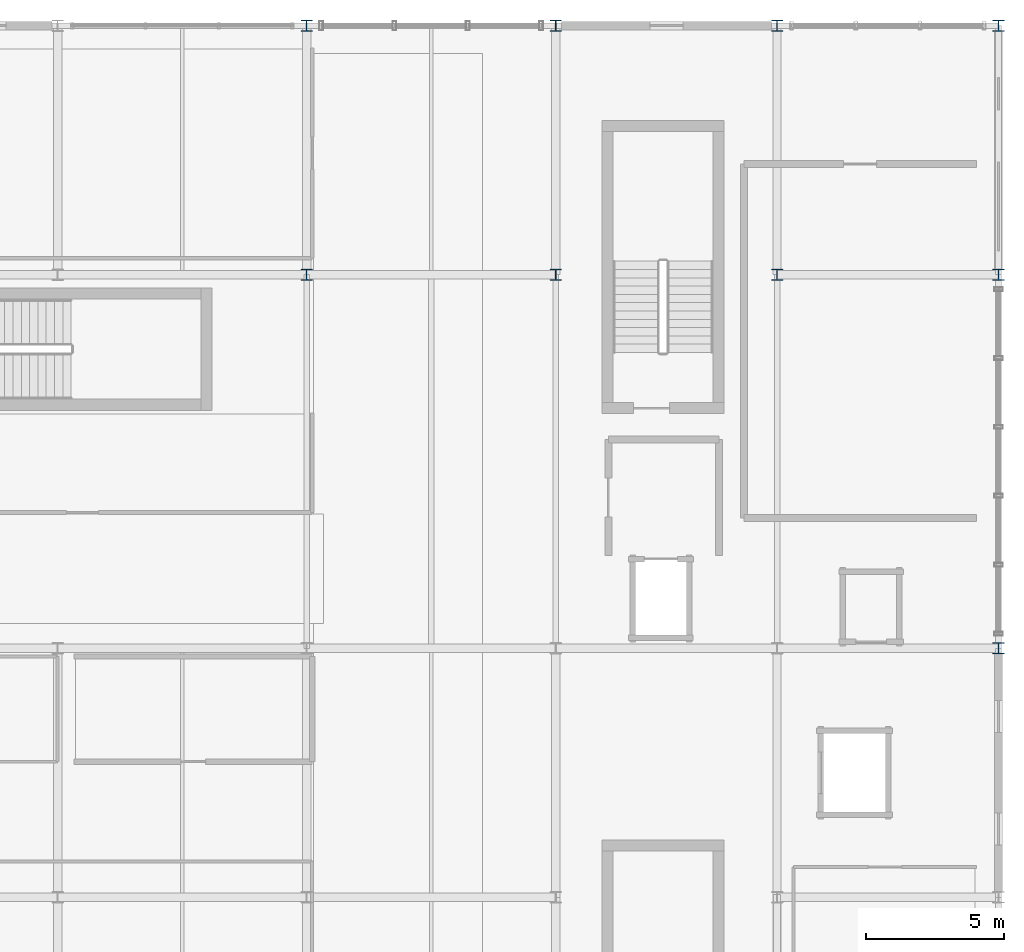
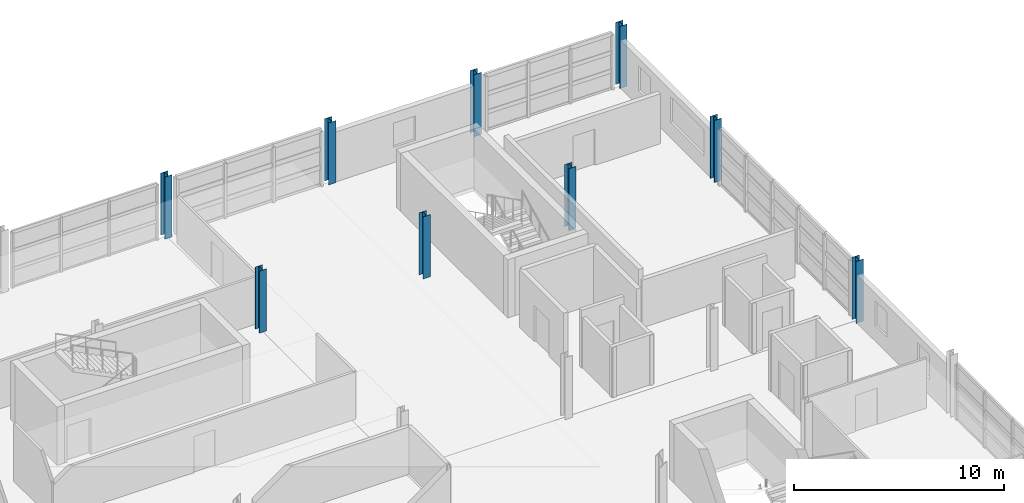
# One storey, part 18 of 116: 9 columns.
"""IFC4 building model written with IfcOpenShell, lengths in metres."""

from ifc_helpers import new_model, si_unit, direction, frame, origin, origin_2d, place, context, subcontext, project, spatial, i_section, extrude, material, material_profile, profile_set, type_object, element, save


model = new_model("IFC4")

# Units and contexts
model_context = context("Model", 3, precision=1e-05, world=origin(), true_north=direction((0.0, 1.0)))
body_context = subcontext(model_context, "Body", "Model", "MODEL_VIEW")
ifc_project = project(units=[si_unit("LENGTHUNIT", "METRE"), si_unit("AREAUNIT", "SQUARE_METRE"), si_unit("VOLUMEUNIT", "CUBIC_METRE"), si_unit("PLANEANGLEUNIT", "RADIAN"), si_unit("MASSUNIT", "GRAM", prefix="KILO")], contexts=[model_context])

# Site, building, storey
site_placement = place(None, origin())
site = spatial("IfcSite", under=ifc_project, at=site_placement, CompositionType="ELEMENT")
building_placement = place(site_placement, origin())
building = spatial("IfcBuilding", under=site, at=building_placement, Name="Chuanluo Vaults Station", CompositionType="ELEMENT")
storey_placement = place(building_placement, frame((0.0, 0.0, 10.800048828125)))
storey = spatial("IfcBuildingStorey", under=building, at=storey_placement, Name="L02", CompositionType="ELEMENT", Elevation=10.800048828125)

# Columns
ifc_material = material(Name="Steel Q355C", Category="steel")
ifc_material_profile = material_profile(ifc_material, i_section(OverallWidth=0.39990234375, OverallDepth=0.407958984375, WebThickness=0.02099609375, FlangeThickness=0.02099609375, FilletRadius=0.02197265625, at=origin_2d()))
ifc_profile_set = profile_set([ifc_material_profile], Name="Steel Q355C")
column_type = type_object("IfcColumnType", Name="COL-STL-HW408", PredefinedType="COLUMN", material=ifc_profile_set)
for number, where, z_axis, x_axis, name in (
    (1, (163.0, 117.0, 0.0), (0.0, 0.0, 1.0), (1.0, 0.0, 0.0), "Column L02-134"),
    (2, (163.0, 126.0, 0.0), (0.0, 0.0, 1.0), (1.0, 0.0, 0.0), "Column L02-135"),
    (3, (172.0, 117.0, 0.0), (0.0, 0.0, 1.0), (1.0, 0.0, 0.0), "Column L02-147"),
    (4, (172.0, 126.0, 0.0), (0.0, 0.0, 1.0), (1.0, 0.0, 0.0), "Column L02-148"),
    (5, (180.0, 117.0, 0.0), (0.0, 0.0, 1.0), (1.0, 0.0, 0.0), "Column L02-160"),
    (6, (180.0, 126.0, 0.0), (0.0, 0.0, 1.0), (1.0, 0.0, 0.0), "Column L02-161"),
    (7, (188.0, 103.5, 0.0), (0.0, 0.0, 1.0), (1.0, 0.0, 0.0), "Column L02-172"),
    (8, (188.0, 117.0, 0.0), (0.0, 0.0, 1.0), (1.0, 0.0, 0.0), "Column L02-173"),
    (9, (188.0, 126.0, 0.0), (0.0, 0.0, 1.0), (1.0, 0.0, 0.0), "Column L02-174"),
):
    element("IfcColumn", number, at=place(storey_placement, frame(where, z_axis=z_axis, x_axis=x_axis)), inside=storey, type_object=column_type, Name=name, PredefinedType="COLUMN", context=body_context, shape_type="SweptSolid", body=[
        extrude(i_section(OverallWidth=0.39990234375, OverallDepth=0.407958984375, WebThickness=0.02099609375, FlangeThickness=0.02099609375, FilletRadius=0.02197265625, at=origin_2d()), origin(), (0.0, 0.0, 1.0), 3.599853515625),
    ])

save(model, "model.ifc")
